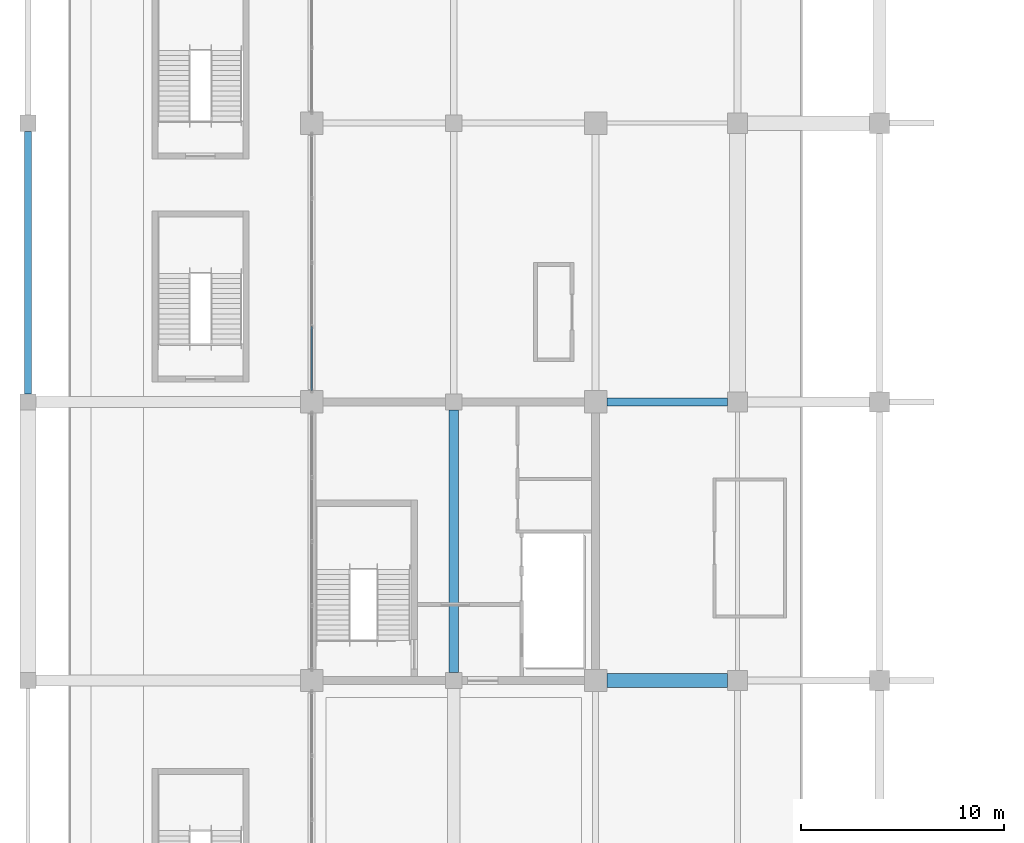
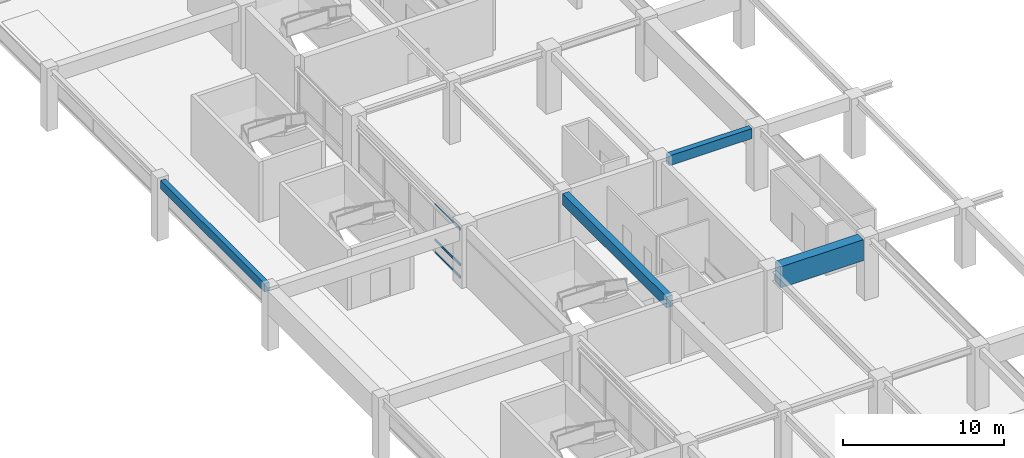
# One storey, part 32 of 91: 4 beams, 3 members, 1 element without a shape of its own.
"""IFC4 building model written with IfcOpenShell, lengths in metres."""

from ifc_helpers import new_model, si_unit, direction, frame, origin, origin_2d, place, context, subcontext, project, spatial, rectangle, hollow_rectangle, extrude, material, material_profile, profile_set, type_object, element, aggregate, save


model = new_model("IFC4")

# Units and contexts
model_context = context("Model", 3, precision=1e-05, world=origin(), true_north=direction((0.0, 1.0)))
body_context = subcontext(model_context, "Body", "Model", "MODEL_VIEW")
ifc_project = project(units=[si_unit("LENGTHUNIT", "METRE"), si_unit("AREAUNIT", "SQUARE_METRE"), si_unit("VOLUMEUNIT", "CUBIC_METRE"), si_unit("PLANEANGLEUNIT", "RADIAN"), si_unit("MASSUNIT", "GRAM", prefix="KILO")], contexts=[model_context])

# Site, building, storey
site_placement = place(None, origin())
site = spatial("IfcSite", under=ifc_project, at=site_placement, CompositionType="ELEMENT")
building_placement = place(site_placement, origin())
building = spatial("IfcBuilding", under=site, at=building_placement, Name="Linyun Crest Stadium", CompositionType="ELEMENT")
storey_placement = place(building_placement, frame((0.0, 0.0, 11.39990234375)))
storey = spatial("IfcBuildingStorey", under=building, at=storey_placement, Name="L03", CompositionType="ELEMENT", Elevation=11.39990234375)

# Beams
ifc_material_1 = material(Name="Concrete C40", Category="concrete")
ifc_material_profile_1 = material_profile(ifc_material_1, rectangle(XDim=0.35009765625, YDim=0.64990234375, at=origin_2d()), Name="RCB 650x350")
ifc_profile_set_1 = profile_set([ifc_material_profile_1], Name="Concrete C40")
beam_type_1 = type_object("IfcBeamType", Name="B02", PredefinedType="BEAM", material=ifc_profile_set_1)
beam_1_placement = place(storey_placement, frame((-98.0, 16.27490234375, 4.255126953125), z_axis=(0.0, 1.0, 0.0), x_axis=(-1.0, 0.0, 0.0)))
element("IfcBeam", 1, at=beam_1_placement, inside=storey, type_object=beam_type_1, Name="Frame beam B02 L03 268", PredefinedType="BEAM", context=body_context, shape_type="SweptSolid", body=[
    extrude(rectangle(XDim=0.35009765625, YDim=0.64990234375, at=origin_2d()), origin(), (0.0, 0.0, 1.0), 12.9501953125),
])
ifc_material_2 = material(Name="Concrete C40", Category="concrete")
ifc_material_profile_2 = material_profile(ifc_material_2, rectangle(XDim=0.39990234375, YDim=0.75, at=origin_2d()), Name="RCB 750x400")
ifc_profile_set_2 = profile_set([ifc_material_profile_2], Name="Concrete C40")
beam_type_2 = type_object("IfcBeamType", Name="B03", PredefinedType="BEAM", material=ifc_profile_set_2)
beam_2_placement = place(storey_placement, frame((-69.449951171875, 15.875, 4.205078125), z_axis=(1.0, 0.0, 0.0), x_axis=(0.0, 1.0, 0.0)))
element("IfcBeam", 2, at=beam_2_placement, inside=storey, type_object=beam_type_2, Name="Frame beam B03 L03 246", PredefinedType="BEAM", context=body_context, shape_type="SweptSolid", body=[
    extrude(rectangle(XDim=0.39990234375, YDim=0.75, at=origin_2d()), origin(), (0.0, 0.0, 1.0), 5.949951171875),
])
ifc_material_3 = material(Name="Concrete C40", Category="concrete")
ifc_material_profile_3 = material_profile(ifc_material_3, rectangle(XDim=0.449951171875, YDim=0.85009765625, at=origin_2d()), Name="RCB 850x450")
ifc_profile_set_3 = profile_set([ifc_material_profile_3], Name="Concrete C40")
beam_type_3 = type_object("IfcBeamType", Name="B04", PredefinedType="BEAM", material=ifc_profile_set_3)
beam_3_placement = place(storey_placement, frame((-77.0, 2.52490234375, 4.155029296875), z_axis=(0.0, 1.0, 0.0), x_axis=(-1.0, 0.0, 0.0)))
element("IfcBeam", 3, at=beam_3_placement, inside=storey, type_object=beam_type_3, Name="Frame beam B04 L03 278", PredefinedType="BEAM", context=body_context, shape_type="SweptSolid", body=[
    extrude(rectangle(XDim=0.449951171875, YDim=0.85009765625, at=origin_2d()), origin(), (0.0, 0.0, 1.0), 12.9501953125),
])
ifc_material_4 = material(Name="Concrete C50", Category="concrete")
ifc_material_profile_4 = material_profile(ifc_material_4, rectangle(XDim=0.699951171875, YDim=1.60009765625, at=origin_2d()), Name="RCB 1600x700")
ifc_profile_set_4 = profile_set([ifc_material_profile_4], Name="Concrete C50")
beam_type_4 = type_object("IfcBeamType", Name="B13", PredefinedType="BEAM", material=ifc_profile_set_4)
beam_4_placement = place(storey_placement, frame((-69.449951171875, 2.125, 3.780029296875), z_axis=(1.0, 0.0, 0.0), x_axis=(0.0, 1.0, 0.0)))
element("IfcBeam", 4, at=beam_4_placement, inside=storey, type_object=beam_type_4, Name="Frame beam B13 L03 243", PredefinedType="BEAM", context=body_context, shape_type="SweptSolid", body=[
    extrude(rectangle(XDim=0.699951171875, YDim=1.60009765625, at=origin_2d()), origin(), (0.0, 0.0, 1.0), 5.949951171875),
])

# Curtain wall, members
ifc_material_5 = material(Name="Verdigris steel and low-E curtain wall assembly", Category="steel")
curtain_wall_type = type_object("IfcCurtainWallType", Name="MCW02", PredefinedType="NOTDEFINED", material=ifc_material_5)
curtain_wall_placement = place(storey_placement, origin())
curtain_wall = element("IfcCurtainWall", 5, at=curtain_wall_placement, inside=storey, type_object=curtain_wall_type, Name="CWR-110", PredefinedType="NOTDEFINED")
ifc_material_6 = material(Name="Verdigris painted steel Q355B transom", Category="steel")
ifc_material_profile_5 = material_profile(ifc_material_6, hollow_rectangle(XDim=0.080078125, YDim=0.179931640625, WallThickness=0.006103515625, at=origin_2d()), Name="RHS 180x80x6")
ifc_profile_set_5 = profile_set([ifc_material_profile_5], Name="Verdigris painted steel Q355B transom")
member_type = type_object("IfcMemberType", Name="TR02", PredefinedType="USERDEFINED", material=ifc_profile_set_5)
member_1_placement = place(storey_placement, frame((-84.0, 16.425048828125, 0.0), z_axis=(0.0, 1.0, 0.0), x_axis=(-1.0, 0.0, 0.0)))
member_1 = element("IfcMember", 6, at=member_1_placement, type_object=member_type, Name="CWR-110 transom 1.1", ObjectType="TRANSOM", PredefinedType="USERDEFINED", context=body_context, shape_type="SweptSolid", body=[
    extrude(hollow_rectangle(XDim=0.080078125, YDim=0.179931640625, WallThickness=0.006103515625, at=origin_2d()), origin(), (0.0, 0.0, 1.0), 3.162841796875),
])
member_2_placement = place(storey_placement, frame((-84.0, 16.425048828125, 0.9501953125), z_axis=(0.0, 1.0, 0.0), x_axis=(-1.0, 0.0, 0.0)))
member_2 = element("IfcMember", 7, at=member_2_placement, type_object=member_type, Name="CWR-110 transom 1.2", ObjectType="TRANSOM", PredefinedType="USERDEFINED", context=body_context, shape_type="SweptSolid", body=[
    extrude(hollow_rectangle(XDim=0.080078125, YDim=0.179931640625, WallThickness=0.006103515625, at=origin_2d()), origin(), (0.0, 0.0, 1.0), 3.162841796875),
])
member_3_placement = place(storey_placement, frame((-84.0, 16.425048828125, 3.650146484375), z_axis=(0.0, 1.0, 0.0), x_axis=(-1.0, 0.0, 0.0)))
member_3 = element("IfcMember", 8, at=member_3_placement, type_object=member_type, Name="CWR-110 transom 1.3", ObjectType="TRANSOM", PredefinedType="USERDEFINED", context=body_context, shape_type="SweptSolid", body=[
    extrude(hollow_rectangle(XDim=0.080078125, YDim=0.179931640625, WallThickness=0.006103515625, at=origin_2d()), origin(), (0.0, 0.0, 1.0), 3.162841796875),
])
aggregate(curtain_wall, [member_1, member_2, member_3])

save(model, "model.ifc")
